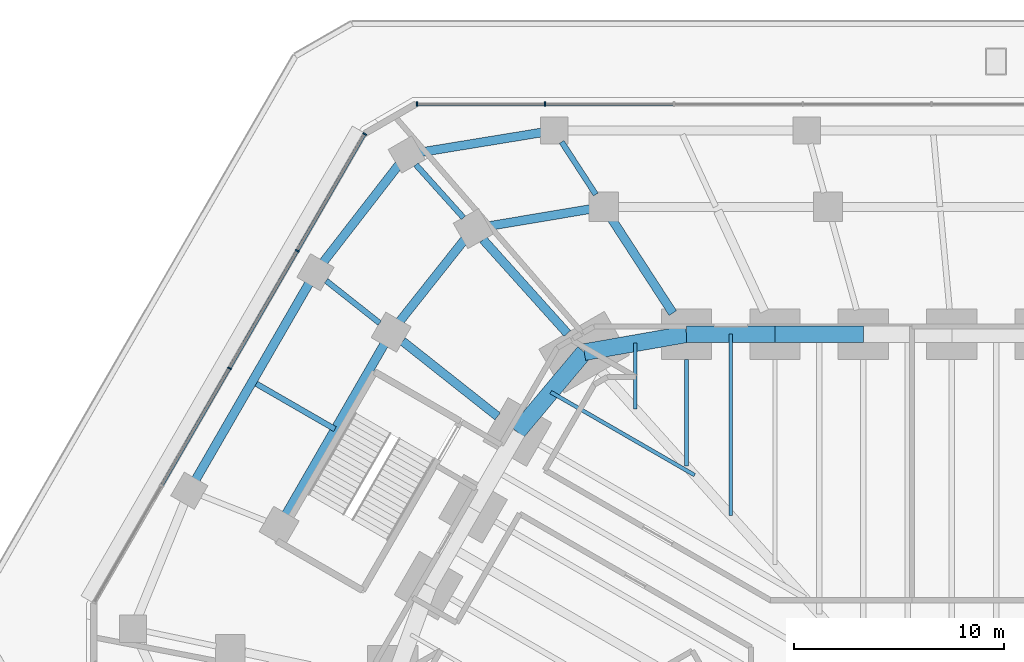
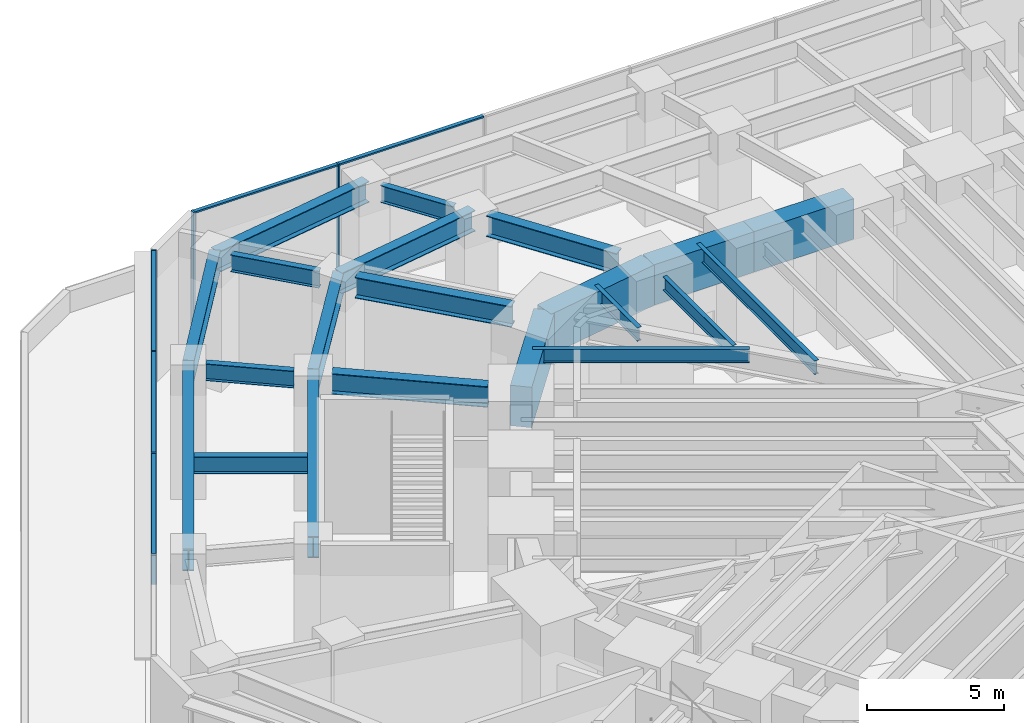
# One storey, part 10 of 25: 21 beams, 10 members, 2 elements without a shape of their own.
"""IFC4 building model written with IfcOpenShell, lengths in metres."""

from ifc_helpers import new_model, si_unit, direction, frame, origin, origin_2d, place, context, subcontext, project, spatial, rectangle, i_section, extrude, material, material_profile, profile_set, type_object, element, aggregate, save


model = new_model("IFC4")

# Units and contexts
model_context = context("Model", 3, precision=1e-05, world=origin(), true_north=direction((0.0, 1.0)))
body_context = subcontext(model_context, "Body", "Model", "MODEL_VIEW")
ifc_project = project(units=[si_unit("LENGTHUNIT", "METRE"), si_unit("AREAUNIT", "SQUARE_METRE"), si_unit("VOLUMEUNIT", "CUBIC_METRE"), si_unit("PLANEANGLEUNIT", "RADIAN"), si_unit("MASSUNIT", "GRAM", prefix="KILO")], contexts=[model_context])

# Site, building, storey
site_placement = place(None, origin())
site = spatial("IfcSite", under=ifc_project, at=site_placement, CompositionType="ELEMENT")
building_placement = place(site_placement, origin())
building = spatial("IfcBuilding", under=site, at=building_placement, Name="Sandreach Pilgrim Tower", CompositionType="ELEMENT")
storey_placement = place(building_placement, frame((0.0, 0.0, 6.0)))
storey = spatial("IfcBuildingStorey", under=building, at=storey_placement, Name="L01", CompositionType="ELEMENT", Elevation=6.0)

# Curtain wall, members
ifc_material_1 = material(Name="Aluminium framed curtain wall", Category="aluminium")
curtain_wall_type = type_object("IfcCurtainWallType", Name="Podium storefront curtain wall", PredefinedType="NOTDEFINED", material=ifc_material_1)
curtain_wall_1_placement = place(storey_placement, origin())
curtain_wall_1 = element("IfcCurtainWall", 1, at=curtain_wall_1_placement, inside=storey, type_object=curtain_wall_type, Name="CW-P L01 N", PredefinedType="NOTDEFINED")
ifc_material_2 = material(Name="Aluminium extrusion", Category="aluminium")
ifc_material_profile_1 = material_profile(ifc_material_2, rectangle(XDim=0.070068359375, YDim=0.199951171875, at=origin_2d()), Name="CW-PM 70X200")
ifc_profile_set_1 = profile_set([ifc_material_profile_1], Name="Aluminium extrusion")
member_type_1 = type_object("IfcMemberType", Name="CW-P mullion", PredefinedType="MULLION", material=ifc_profile_set_1)
member_1_placement = place(storey_placement, frame((-27.5751953125, 33.648193359375, 0.0), z_axis=(0.0, 0.0, 1.0), x_axis=(1.0, 0.0, 0.0)))
member_1 = element("IfcMember", 2, at=member_1_placement, type_object=member_type_1, Name="CW-P mullion 1", PredefinedType="MULLION", context=body_context, shape_type="SweptSolid", body=[
    extrude(rectangle(XDim=0.070068359375, YDim=0.199951171875, at=origin_2d()), origin(), (0.0, 0.0, 1.0), 5.840087890625),
])
member_2_placement = place(storey_placement, frame((-21.474609375, 33.648193359375, 0.0), z_axis=(0.0, 0.0, 1.0), x_axis=(1.0, 0.0, 0.0)))
member_2 = element("IfcMember", 3, at=member_2_placement, type_object=member_type_1, Name="CW-P mullion 2", PredefinedType="MULLION", context=body_context, shape_type="SweptSolid", body=[
    extrude(rectangle(XDim=0.070068359375, YDim=0.199951171875, at=origin_2d()), origin(), (0.0, 0.0, 1.0), 5.840087890625),
])

curtain_wall_2_placement = place(storey_placement, origin())
curtain_wall_2 = element("IfcCurtainWall", 4, at=curtain_wall_2_placement, inside=storey, type_object=curtain_wall_type, Name="CW-P L01 NW", PredefinedType="NOTDEFINED")
member_3_placement = place(storey_placement, frame((-36.490234375, 21.067626953125, 0.0), z_axis=(0.0, 0.0, 1.0), x_axis=(0.5, 0.866025403784, 0.0)))
member_3 = element("IfcMember", 5, at=member_3_placement, type_object=member_type_1, Name="CW-P mullion 3", PredefinedType="MULLION", context=body_context, shape_type="SweptSolid", body=[
    extrude(rectangle(XDim=0.070068359375, YDim=0.199951171875, at=origin_2d()), origin(), (0.0, 0.0, 1.0), 5.840087890625),
])
member_4_placement = place(storey_placement, frame((-33.2626953125, 26.657958984375, 0.0), z_axis=(0.0, 0.0, 1.0), x_axis=(0.5, 0.866025403784, 0.0)))
member_4 = element("IfcMember", 6, at=member_4_placement, type_object=member_type_1, Name="CW-P mullion 4", PredefinedType="MULLION", context=body_context, shape_type="SweptSolid", body=[
    extrude(rectangle(XDim=0.070068359375, YDim=0.199951171875, at=origin_2d()), origin(), (0.0, 0.0, 1.0), 5.840087890625),
])
member_5_placement = place(storey_placement, frame((-30.052490234375, 32.2177734375, 0.0), z_axis=(0.0, 0.0, 1.0), x_axis=(0.5, 0.866025403784, 0.0)))
member_5 = element("IfcMember", 7, at=member_5_placement, type_object=member_type_1, Name="CW-P mullion 5", PredefinedType="MULLION", context=body_context, shape_type="SweptSolid", body=[
    extrude(rectangle(XDim=0.070068359375, YDim=0.199951171875, at=origin_2d()), origin(), (0.0, 0.0, 1.0), 5.840087890625),
])

# Member
ifc_material_3 = material(Name="Aluminium extrusion", Category="aluminium")
ifc_material_profile_2 = material_profile(ifc_material_3, rectangle(XDim=0.159912109375, YDim=0.070068359375, at=origin_2d()), Name="CW-PT 160X70")
ifc_profile_set_2 = profile_set([ifc_material_profile_2], Name="Aluminium extrusion")
member_type_2 = type_object("IfcMemberType", Name="CW-P transom", PredefinedType="USERDEFINED", material=ifc_profile_set_2)
member_6_placement = place(storey_placement, frame((-27.540283203125, 33.648193359375, 5.804931640625), z_axis=(1.0, 0.0, 0.0), x_axis=(0.0, 1.0, 0.0)))
member_6 = element("IfcMember", 8, at=member_6_placement, type_object=member_type_2, Name="CW-P head transom 1", ObjectType="TRANSOM", PredefinedType="USERDEFINED", context=body_context, shape_type="SweptSolid", body=[
    extrude(rectangle(XDim=0.159912109375, YDim=0.070068359375, at=origin_2d()), origin(), (0.0, 0.0, 1.0), 6.03076171875),
])

member_7_placement = place(storey_placement, frame((-21.439697265625, 33.648193359375, 5.804931640625), z_axis=(1.0, 0.0, 0.0), x_axis=(0.0, 1.0, 0.0)))
member_7 = element("IfcMember", 9, at=member_7_placement, type_object=member_type_2, Name="CW-P head transom 2", ObjectType="TRANSOM", PredefinedType="USERDEFINED", context=body_context, shape_type="SweptSolid", body=[
    extrude(rectangle(XDim=0.159912109375, YDim=0.070068359375, at=origin_2d()), origin(), (0.0, 0.0, 1.0), 6.065673828125),
])

aggregate(curtain_wall_1, [member_1, member_2, member_6, member_7])

member_8_placement = place(storey_placement, frame((-39.7001953125, 15.507568359375, 5.804931640625), z_axis=(0.49997179324, 0.866041688352, 0.0), x_axis=(-0.866041688352, 0.49997179324, 0.0)))
member_8 = element("IfcMember", 10, at=member_8_placement, type_object=member_type_2, Name="CW-P head transom 2", ObjectType="TRANSOM", PredefinedType="USERDEFINED", context=body_context, shape_type="SweptSolid", body=[
    extrude(rectangle(XDim=0.159912109375, YDim=0.070068359375, at=origin_2d()), origin(), (0.0, 0.0, 1.0), 6.385009765625),
])

member_9_placement = place(storey_placement, frame((-36.47265625, 21.097900390625, 5.804931640625), z_axis=(0.500000470374, 0.866025132214, 0.0), x_axis=(-0.866025132214, 0.500000470374, 0.0)))
member_9 = element("IfcMember", 11, at=member_9_placement, type_object=member_type_2, Name="CW-P head transom 3", ObjectType="TRANSOM", PredefinedType="USERDEFINED", context=body_context, shape_type="SweptSolid", body=[
    extrude(rectangle(XDim=0.159912109375, YDim=0.070068359375, at=origin_2d()), origin(), (0.0, 0.0, 1.0), 6.38525390625),
])

member_10_placement = place(storey_placement, frame((-33.2451171875, 26.688232421875, 5.804931640625), z_axis=(0.500005339912, 0.866022320763, 0.0), x_axis=(-0.866022320763, 0.500005339912, 0.0)))
member_10 = element("IfcMember", 12, at=member_10_placement, type_object=member_type_2, Name="CW-P head transom 4", ObjectType="TRANSOM", PredefinedType="USERDEFINED", context=body_context, shape_type="SweptSolid", body=[
    extrude(rectangle(XDim=0.159912109375, YDim=0.070068359375, at=origin_2d()), origin(), (0.0, 0.0, 1.0), 6.35009765625),
])

aggregate(curtain_wall_2, [member_3, member_4, member_5, member_8, member_9, member_10])

# Beams
ifc_material_4 = material(Name="Steel ASTM A992 Grade 50", Category="steel")
ifc_material_profile_3 = material_profile(ifc_material_4, i_section(OverallWidth=0.1787109375, OverallDepth=0.60205078125, WebThickness=0.010986328125, FlangeThickness=0.014892578125, at=origin_2d()), Name="W24X62")
ifc_profile_set_3 = profile_set([ifc_material_profile_3], Name="Steel ASTM A992 Grade 50")
beam_type_1 = type_object("IfcBeamType", Name="Floor beam W24X62", PredefinedType="BEAM", material=ifc_profile_set_3)
beam_1_placement = place(storey_placement, frame((-14.734619140625, 21.48876953125, 5.5390625), z_axis=(0.0, -1.0, 0.0), x_axis=(1.0, 0.0, 0.0)))
element("IfcBeam", 13, at=beam_1_placement, inside=storey, type_object=beam_type_1, Name="BM L01 F01", PredefinedType="BEAM", context=body_context, shape_type="SweptSolid", body=[
    extrude(i_section(OverallWidth=0.1787109375, OverallDepth=0.60205078125, WebThickness=0.010986328125, FlangeThickness=0.014892578125, at=origin_2d()), origin(), (0.0, 0.0, 1.0), 5.079345703125),
])
beam_2_placement = place(storey_placement, frame((-12.629638671875, 22.688720703125, 5.5390625), z_axis=(0.0, -1.0, 0.0), x_axis=(1.0, 0.0, 0.0)))
element("IfcBeam", 14, at=beam_2_placement, inside=storey, type_object=beam_type_1, Name="BM L01 FM01", PredefinedType="BEAM", context=body_context, shape_type="SweptSolid", body=[
    extrude(i_section(OverallWidth=0.1787109375, OverallDepth=0.60205078125, WebThickness=0.010986328125, FlangeThickness=0.014892578125, at=origin_2d()), origin(), (0.0, 0.0, 1.0), 8.62353515625),
])
beam_3_placement = place(storey_placement, frame((-21.197021484375, 19.933349609375, 5.5390625), z_axis=(0.866028778003, -0.499994155636, 0.0), x_axis=(0.499994155636, 0.866028778003, 0.0)))
element("IfcBeam", 15, at=beam_3_placement, inside=storey, type_object=beam_type_1, Name="BM L01 FM38", PredefinedType="BEAM", context=body_context, shape_type="SweptSolid", body=[
    extrude(i_section(OverallWidth=0.1787109375, OverallDepth=0.60205078125, WebThickness=0.010986328125, FlangeThickness=0.014892578125, at=origin_2d()), origin(), (0.0, 0.0, 1.0), 7.90771484375),
])
beam_4_placement = place(storey_placement, frame((-17.17041015625, 22.26171875, 5.5390625), z_axis=(0.0, -1.0, 0.0), x_axis=(1.0, 0.0, 0.0)))
element("IfcBeam", 16, at=beam_4_placement, inside=storey, type_object=beam_type_1, Name="BM L01 FM39", PredefinedType="BEAM", context=body_context, shape_type="SweptSolid", body=[
    extrude(i_section(OverallWidth=0.1787109375, OverallDepth=0.60205078125, WebThickness=0.010986328125, FlangeThickness=0.014892578125, at=origin_2d()), origin(), (0.0, 0.0, 1.0), 3.1396484375),
])
ifc_material_5 = material(Name="Steel ASTM A992 Grade 50", Category="steel")
ifc_material_profile_4 = material_profile(ifc_material_5, i_section(OverallWidth=0.2666015625, OverallDepth=0.7568359375, WebThickness=0.013916015625, FlangeThickness=0.019287109375, at=origin_2d()), Name="W30X108")
ifc_profile_set_4 = profile_set([ifc_material_profile_4], Name="Steel ASTM A992 Grade 50")
beam_type_2 = type_object("IfcBeamType", Name="Podium beam W30X108", PredefinedType="BEAM", material=ifc_profile_set_4)
beam_5_placement = place(storey_placement, frame((-19.052978515625, 29.337890625, 5.37158203125), z_axis=(-0.544663679037, 0.838654563415, 0.0), x_axis=(-0.838654563415, -0.544663679037, 0.0)))
element("IfcBeam", 17, at=beam_5_placement, inside=storey, type_object=beam_type_2, Name="BM L01 PR140-01", PredefinedType="BEAM", context=body_context, shape_type="SweptSolid", body=[
    extrude(i_section(OverallWidth=0.2666015625, OverallDepth=0.7568359375, WebThickness=0.013916015625, FlangeThickness=0.019287109375, at=origin_2d()), origin(), (0.0, 0.0, 1.0), 2.987060546875),
])
beam_6_placement = place(storey_placement, frame((-31.471923828125, 18.17041015625, 5.37158203125), z_axis=(-0.866016227542, 0.500015893381, 0.0), x_axis=(-0.500015893381, -0.866016227542, 0.0)))
element("IfcBeam", 18, at=beam_6_placement, inside=storey, type_object=beam_type_2, Name="BM L01 PR140-37", PredefinedType="BEAM", context=body_context, shape_type="SweptSolid", body=[
    extrude(i_section(OverallWidth=0.2666015625, OverallDepth=0.7568359375, WebThickness=0.013916015625, FlangeThickness=0.019287109375, at=origin_2d()), origin(), (0.0, 0.0, 1.0), 4.321044921875),
])
beam_7_placement = place(storey_placement, frame((-29.3427734375, 23.218994140625, 5.37158203125), z_axis=(-0.784196808653, 0.620512179815, 0.0), x_axis=(-0.620512179815, -0.784196808653, 0.0)))
element("IfcBeam", 19, at=beam_7_placement, inside=storey, type_object=beam_type_2, Name="BM L01 PR140-38", PredefinedType="BEAM", context=body_context, shape_type="SweptSolid", body=[
    extrude(i_section(OverallWidth=0.2666015625, OverallDepth=0.7568359375, WebThickness=0.013916015625, FlangeThickness=0.019287109375, at=origin_2d()), origin(), (0.0, 0.0, 1.0), 3.24560546875),
])
beam_8_placement = place(storey_placement, frame((-25.352783203125, 28.234375, 5.37158203125), z_axis=(-0.668105036211, 0.744066973188, 0.0), x_axis=(-0.744066973188, -0.668105036211, 0.0)))
element("IfcBeam", 20, at=beam_8_placement, inside=storey, type_object=beam_type_2, Name="BM L01 PR140-39", PredefinedType="BEAM", context=body_context, shape_type="SweptSolid", body=[
    extrude(i_section(OverallWidth=0.2666015625, OverallDepth=0.7568359375, WebThickness=0.013916015625, FlangeThickness=0.019287109375, at=origin_2d()), origin(), (0.0, 0.0, 1.0), 3.390869140625),
])
ifc_material_6 = material(Name="Steel ASTM A992 Grade 50", Category="steel")
ifc_material_profile_5 = material_profile(ifc_material_6, i_section(OverallWidth=0.419189453125, OverallDepth=0.927001953125, WebThickness=0.019287109375, FlangeThickness=0.031982421875, at=origin_2d()), Name="W36X231")
ifc_profile_set_5 = profile_set([ifc_material_profile_5], Name="Steel ASTM A992 Grade 50")
beam_type_3 = type_object("IfcBeamType", Name="Podium beam W36X231", PredefinedType="BEAM", material=ifc_profile_set_5)
beam_9_placement = place(storey_placement, frame((-15.38818359375, 23.695068359375, 5.37646484375), z_axis=(-0.544679105424, 0.838644544556, 0.0), x_axis=(-0.838644544556, -0.544679105424, 0.0)))
element("IfcBeam", 21, at=beam_9_placement, inside=storey, type_object=beam_type_3, Name="BM L01 PR125-01", PredefinedType="BEAM", context=body_context, shape_type="SweptSolid", body=[
    extrude(i_section(OverallWidth=0.419189453125, OverallDepth=0.927001953125, WebThickness=0.019287109375, FlangeThickness=0.031982421875, at=origin_2d()), origin(), (0.0, 0.0, 1.0), 5.32861328125),
])
beam_10_placement = place(storey_placement, frame((-23.728759765625, 18.776611328125, 5.37646484375), z_axis=(-0.784174749231, 0.620540057263, 0.0), x_axis=(-0.620540057263, -0.784174749231, 0.0)))
element("IfcBeam", 22, at=beam_10_placement, inside=storey, type_object=beam_type_3, Name="BM L01 PR125-38", PredefinedType="BEAM", context=body_context, shape_type="SweptSolid", body=[
    extrude(i_section(OverallWidth=0.419189453125, OverallDepth=0.927001953125, WebThickness=0.019287109375, FlangeThickness=0.031982421875, at=origin_2d()), origin(), (0.0, 0.0, 1.0), 5.759033203125),
])
beam_11_placement = place(storey_placement, frame((-20.407958984375, 22.727783203125, 5.37646484375), z_axis=(-0.668130429615, 0.744044171419, 0.0), x_axis=(-0.744044171419, -0.668130429615, 0.0)))
element("IfcBeam", 23, at=beam_11_placement, inside=storey, type_object=beam_type_3, Name="BM L01 PR125-39", PredefinedType="BEAM", context=body_context, shape_type="SweptSolid", body=[
    extrude(i_section(OverallWidth=0.419189453125, OverallDepth=0.927001953125, WebThickness=0.019287109375, FlangeThickness=0.031982421875, at=origin_2d()), origin(), (0.0, 0.0, 1.0), 6.001220703125),
])
ifc_material_7 = material(Name="Steel ASTM A992 Grade 50", Category="steel")
ifc_material_profile_6 = material_profile(ifc_material_7, i_section(OverallWidth=0.419189453125, OverallDepth=0.927001953125, WebThickness=0.019287109375, FlangeThickness=0.031982421875, at=origin_2d()), Name="W36X231")
ifc_profile_set_6 = profile_set([ifc_material_profile_6], Name="Steel ASTM A992 Grade 50")
beam_type_4 = type_object("IfcBeamType", Name="Podium edge beam W36X231", PredefinedType="BEAM", material=ifc_profile_set_6)
beam_12_placement = place(storey_placement, frame((-28.7939453125, 22.78466796875, 5.37646484375), z_axis=(0.621347882952, 0.783534816298, 0.0), x_axis=(-0.783534816298, 0.621347882952, 0.0)))
element("IfcBeam", 24, at=beam_12_placement, inside=storey, type_object=beam_type_4, Name="BM L01 PE125-38", PredefinedType="BEAM", context=body_context, shape_type="SweptSolid", body=[
    extrude(i_section(OverallWidth=0.419189453125, OverallDepth=0.927001953125, WebThickness=0.019287109375, FlangeThickness=0.031982421875, at=origin_2d()), origin(), (0.0, 0.0, 1.0), 6.290771484375),
])
beam_13_placement = place(storey_placement, frame((-24.88525390625, 27.713623046875, 5.37646484375), z_axis=(0.986348847433, 0.164669217427, 0.0), x_axis=(-0.164669217427, 0.986348847433, 0.0)))
element("IfcBeam", 25, at=beam_13_placement, inside=storey, type_object=beam_type_4, Name="BM L01 PE125-39", PredefinedType="BEAM", context=body_context, shape_type="SweptSolid", body=[
    extrude(i_section(OverallWidth=0.419189453125, OverallDepth=0.927001953125, WebThickness=0.019287109375, FlangeThickness=0.031982421875, at=origin_2d()), origin(), (0.0, 0.0, 1.0), 6.299560546875),
])
beam_14_placement = place(storey_placement, frame((-32.3974609375, 25.63623046875, 5.286376953125), z_axis=(0.612686189545, 0.790326282709, 0.0), x_axis=(-0.790326282709, 0.612686189545, 0.0)))
element("IfcBeam", 26, at=beam_14_placement, inside=storey, type_object=beam_type_4, Name="BM L01 PE140-38", PredefinedType="BEAM", context=body_context, shape_type="SweptSolid", body=[
    extrude(i_section(OverallWidth=0.419189453125, OverallDepth=0.927001953125, WebThickness=0.019287109375, FlangeThickness=0.031982421875, at=origin_2d()), origin(), (0.0, 0.0, 1.0), 7.091552734375),
])
beam_15_placement = place(storey_placement, frame((-28.052490234375, 31.240966796875, 5.286376953125), z_axis=(0.986903116406, 0.161314099902, 0.0), x_axis=(-0.161314099902, 0.986903116406, 0.0)))
element("IfcBeam", 27, at=beam_15_placement, inside=storey, type_object=beam_type_4, Name="BM L01 PE140-39", PredefinedType="BEAM", context=body_context, shape_type="SweptSolid", body=[
    extrude(i_section(OverallWidth=0.419189453125, OverallDepth=0.927001953125, WebThickness=0.019287109375, FlangeThickness=0.031982421875, at=origin_2d()), origin(), (0.0, 0.0, 1.0), 7.11181640625),
])
ifc_material_8 = material(Name="Steel ASTM A992 Grade 50", Category="steel")
ifc_material_profile_7 = material_profile(ifc_material_8, i_section(OverallWidth=0.424072265625, OverallDepth=0.947509765625, WebThickness=0.02392578125, FlangeThickness=0.042724609375, at=origin_2d()), Name="W36X302")
ifc_profile_set_7 = profile_set([ifc_material_profile_7], Name="Steel ASTM A992 Grade 50")
beam_type_5 = type_object("IfcBeamType", Name="Podium edge beam W36X302", PredefinedType="BEAM", material=ifc_profile_set_7)
beam_16_placement = place(storey_placement, frame((-34.129150390625, 13.5439453125, 5.3662109375), z_axis=(0.500005016135, 0.866022507698, 0.0), x_axis=(-0.866022507698, 0.500005016135, 0.0)))
element("IfcBeam", 28, at=beam_16_placement, inside=storey, type_object=beam_type_5, Name="BM L01 PE125-36", PredefinedType="BEAM", context=body_context, shape_type="SweptSolid", body=[
    extrude(i_section(OverallWidth=0.424072265625, OverallDepth=0.947509765625, WebThickness=0.02392578125, FlangeThickness=0.042724609375, at=origin_2d()), origin(), (0.0, 0.0, 1.0), 10.67041015625),
])
ifc_material_9 = material(Name="Steel ASTM A992 Grade 50", Category="steel")
ifc_material_profile_8 = material_profile(ifc_material_9, i_section(OverallWidth=0.4267578125, OverallDepth=0.975341796875, WebThickness=0.031005859375, FlangeThickness=0.055908203125, at=origin_2d()), Name="W36X395")
ifc_profile_set_8 = profile_set([ifc_material_profile_8], Name="Steel ASTM A992 Grade 50")
beam_type_6 = type_object("IfcBeamType", Name="Podium edge beam W36X395", PredefinedType="BEAM", material=ifc_profile_set_8)
beam_17_placement = place(storey_placement, frame((-38.400390625, 15.239013671875, 5.26220703125), z_axis=(0.500005857885, 0.866022021707, 0.0), x_axis=(-0.866022021707, 0.500005857885, 0.0)))
element("IfcBeam", 29, at=beam_17_placement, inside=storey, type_object=beam_type_6, Name="BM L01 PE140-36", PredefinedType="BEAM", context=body_context, shape_type="SweptSolid", body=[
    extrude(i_section(OverallWidth=0.4267578125, OverallDepth=0.975341796875, WebThickness=0.031005859375, FlangeThickness=0.055908203125, at=origin_2d()), origin(), (0.0, 0.0, 1.0), 12.005615234375),
])
ifc_material_10 = material(Name="Concrete 10000 psi", Category="concrete")
ifc_material_profile_9 = material_profile(ifc_material_10, rectangle(XDim=0.800048828125, YDim=1.800048828125, at=origin_2d()), Name="RC800X1800")
ifc_profile_set_9 = profile_set([ifc_material_profile_9], Name="Concrete 10000 psi")
beam_type_7 = type_object("IfcBeamType", Name="Spandrel beam RC800X1800", PredefinedType="SPANDREL", material=ifc_profile_set_9)
beam_18_placement = place(storey_placement, frame((-14.734619140625, 22.688720703125, 4.93994140625), z_axis=(1.0, 0.0, 0.0), x_axis=(0.0, 1.0, 0.0)))
element("IfcBeam", 30, at=beam_18_placement, inside=storey, type_object=beam_type_7, Name="BM L01 SP01", PredefinedType="SPANDREL", context=body_context, shape_type="SweptSolid", body=[
    extrude(rectangle(XDim=0.800048828125, YDim=1.800048828125, at=origin_2d()), origin(), (0.0, 0.0, 1.0), 4.209716796875),
])
beam_19_placement = place(storey_placement, frame((-10.52490234375, 22.688720703125, 4.93994140625), z_axis=(1.0, 0.0, 0.0), x_axis=(0.0, 1.0, 0.0)))
element("IfcBeam", 31, at=beam_19_placement, inside=storey, type_object=beam_type_7, Name="BM L01 SP02", PredefinedType="SPANDREL", context=body_context, shape_type="SweptSolid", body=[
    extrude(rectangle(XDim=0.800048828125, YDim=1.800048828125, at=origin_2d()), origin(), (0.0, 0.0, 1.0), 4.2099609375),
])
beam_20_placement = place(storey_placement, frame((-22.787841796875, 18.031982421875, 4.93994140625), z_axis=(0.641665295114, 0.766984777584, 0.0), x_axis=(-0.766984777584, 0.641665295114, 0.0)))
element("IfcBeam", 32, at=beam_20_placement, inside=storey, type_object=beam_type_7, Name="BM L01 SP38", PredefinedType="SPANDREL", context=body_context, shape_type="SweptSolid", body=[
    extrude(rectangle(XDim=0.800048828125, YDim=1.800048828125, at=origin_2d()), origin(), (0.0, 0.0, 1.0), 4.9580078125),
])
beam_21_placement = place(storey_placement, frame((-19.6064453125, 21.834716796875, 4.93994140625), z_axis=(0.984981186582, 0.172661698355, 0.0), x_axis=(-0.172661698355, 0.984981186582, 0.0)))
element("IfcBeam", 33, at=beam_21_placement, inside=storey, type_object=beam_type_7, Name="BM L01 SP39", PredefinedType="SPANDREL", context=body_context, shape_type="SweptSolid", body=[
    extrude(rectangle(XDim=0.800048828125, YDim=1.800048828125, at=origin_2d()), origin(), (0.0, 0.0, 1.0), 4.946044921875),
])

save(model, "model.ifc")
